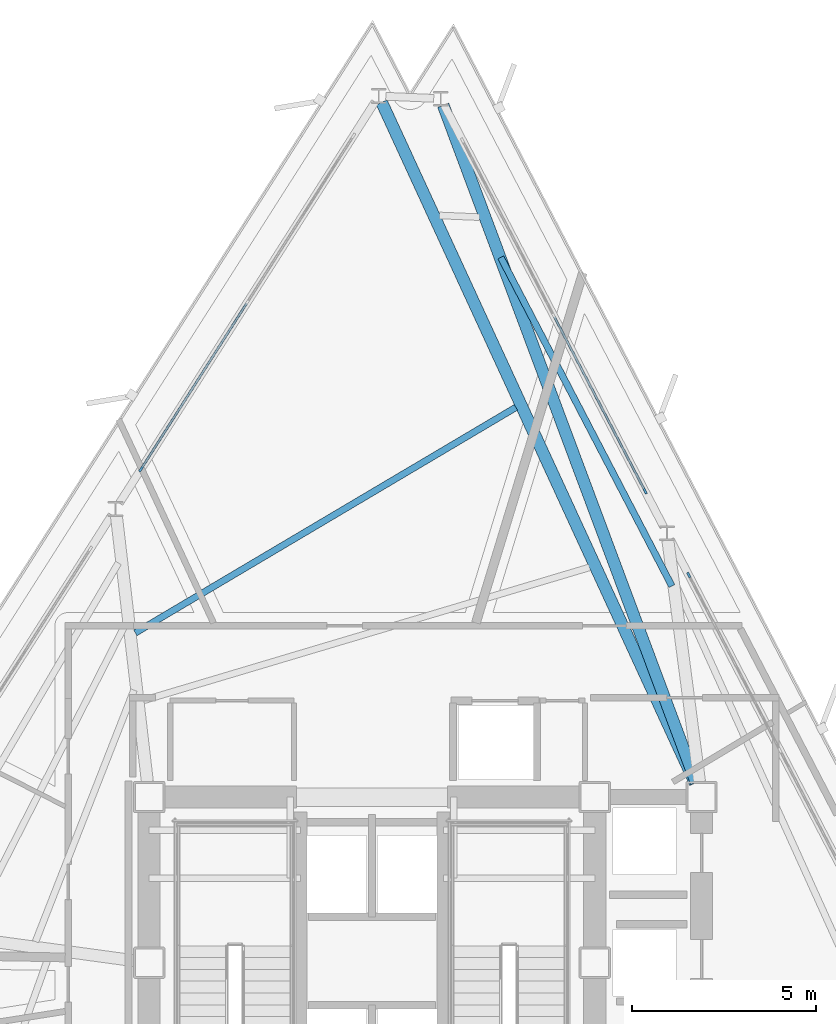
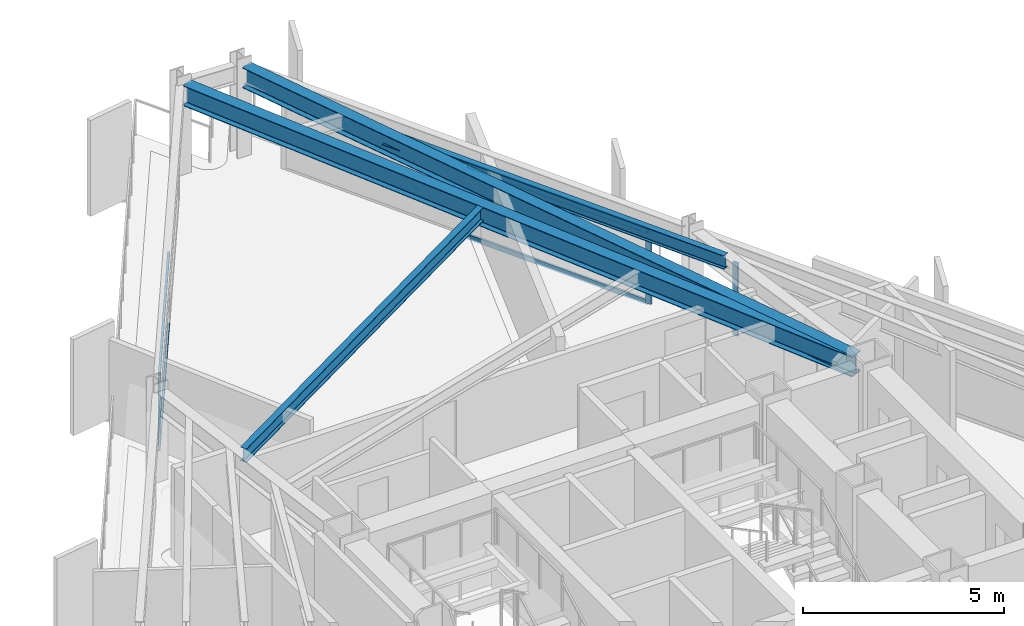
# One storey, part 4 of 12: 7 members, 4 beams, 3 elements without a shape of their own.
"""IFC4 building model written with IfcOpenShell, lengths in metres."""

from ifc_helpers import new_model, si_unit, direction, frame, origin, origin_2d, place, context, subcontext, project, spatial, rectangle, i_section, extrude, material, layer, layer_set, material_profile, profile_set, type_object, element, aggregate, save


model = new_model("IFC4")

# Units and contexts
model_context = context("Model", 3, precision=1e-05, world=origin(), true_north=direction((0.0, 1.0)))
body_context = subcontext(model_context, "Body", "Model", "MODEL_VIEW")
ifc_project = project(units=[si_unit("LENGTHUNIT", "METRE"), si_unit("AREAUNIT", "SQUARE_METRE"), si_unit("VOLUMEUNIT", "CUBIC_METRE"), si_unit("PLANEANGLEUNIT", "RADIAN"), si_unit("MASSUNIT", "GRAM", prefix="KILO")], contexts=[model_context])

# Site, building, storey
site_placement = place(None, origin())
site = spatial("IfcSite", under=ifc_project, at=site_placement, CompositionType="ELEMENT")
building_placement = place(site_placement, origin())
building = spatial("IfcBuilding", under=site, at=building_placement, Name="Rocaltana Carrier Exchange", CompositionType="ELEMENT")
storey_placement = place(building_placement, frame((0.0, 0.0, 141.1201171875)))
storey = spatial("IfcBuildingStorey", under=building, at=storey_placement, Name="L44", CompositionType="ELEMENT", Elevation=141.1201171875)

# Curtain wall, member
ifc_material_1 = material(Name="Aluminium 6063-T6", Category="aluminium")
ifc_layer = layer(ifc_material_1, 0.14990234375)
ifc_layer_set = layer_set([ifc_layer], Name="Aluminium 6063-T6")
curtain_wall_type = type_object("IfcCurtainWallType", Name="Mid-Tower Unitised Curtain Wall CW-03", PredefinedType="NOTDEFINED", material=ifc_layer_set)
curtain_wall_1_placement = place(storey_placement, origin())
curtain_wall_1 = element("IfcCurtainWall", 1, at=curtain_wall_1_placement, inside=storey, type_object=curtain_wall_type, Name="L44 CW-03 Run CW-L44-F1S2", PredefinedType="NOTDEFINED")
ifc_material_2 = material(Name="Aluminium 6063-T6", Category="aluminium")
ifc_material_profile_1 = material_profile(ifc_material_2, rectangle(XDim=0.06005859375, YDim=0.14990234375, at=origin_2d()), Name="AL-60X150")
ifc_profile_set_1 = profile_set([ifc_material_profile_1], Name="Aluminium 6063-T6")
member_type_1 = type_object("IfcMemberType", Name="CW-03 Mullion AL-60X150", PredefinedType="MULLION", material=ifc_profile_set_1)
member_1_placement = place(storey_placement, frame((8.60009765625, 10.531005859375, 0.0), z_axis=(0.0, 0.0, 1.0), x_axis=(-0.887011747812, -0.461746856235, 0.0)))
member_1 = element("IfcMember", 2, at=member_1_placement, type_object=member_type_1, Name="CW-03 mullion 3", PredefinedType="MULLION", context=body_context, shape_type="SweptSolid", body=[
    extrude(rectangle(XDim=0.06005859375, YDim=0.14990234375, at=origin_2d()), origin(), (0.0, 0.0, 1.0), 2.2177734375),
])
aggregate(curtain_wall_1, [member_1])

curtain_wall_2_placement = place(storey_placement, origin())
curtain_wall_2 = element("IfcCurtainWall", 3, at=curtain_wall_2_placement, inside=storey, type_object=curtain_wall_type, Name="L44 CW-03 Run CW-L44-F1S3", PredefinedType="NOTDEFINED")
member_2_placement = place(storey_placement, frame((7.41796875, 12.8017578125, 0.0), z_axis=(0.0, 0.0, 1.0), x_axis=(-0.887007955385, -0.461754141383, 0.0)))
member_2 = element("IfcMember", 4, at=member_2_placement, type_object=member_type_1, Name="CW-03 mullion 1", PredefinedType="MULLION", context=body_context, shape_type="SweptSolid", body=[
    extrude(rectangle(XDim=0.06005859375, YDim=0.14990234375, at=origin_2d()), origin(), (0.0, 0.0, 1.0), 2.2177734375),
])

curtain_wall_3_placement = place(storey_placement, origin())
curtain_wall_3 = element("IfcCurtainWall", 5, at=curtain_wall_3_placement, inside=storey, type_object=curtain_wall_type, Name="L44 CW-03 Run CW-L44-F2S1", PredefinedType="NOTDEFINED")
member_3_placement = place(storey_placement, frame((-6.27392578125, 13.3994140625, 0.0), z_axis=(0.0, 0.0, 1.0), x_axis=(0.843390685726, -0.537300801443, 0.0)))
member_3 = element("IfcMember", 6, at=member_3_placement, type_object=member_type_1, Name="CW-03 mullion 3", PredefinedType="MULLION", context=body_context, shape_type="SweptSolid", body=[
    extrude(rectangle(XDim=0.06005859375, YDim=0.14990234375, at=origin_2d()), origin(), (0.0, 0.0, 1.0), 2.2177734375),
])

# Member
ifc_material_3 = material(Name="Aluminium 6063-T6", Category="aluminium")
ifc_material_profile_2 = material_profile(ifc_material_3, rectangle(XDim=0.06005859375, YDim=0.14990234375, at=origin_2d()), Name="AL-60X150")
ifc_profile_set_2 = profile_set([ifc_material_profile_2], Name="Aluminium 6063-T6")
member_type_2 = type_object("IfcMemberType", Name="CW-03 Transom AL-60X150", PredefinedType="USERDEFINED", material=ifc_profile_set_2)
member_4_placement = place(storey_placement, frame((7.404052734375, 12.828369140625, 0.02978515625), z_axis=(-0.461756588365, 0.887006681543, 0.0), x_axis=(-0.887006681543, -0.461756588365, 0.0)))
member_4 = element("IfcMember", 7, at=member_4_placement, type_object=member_type_2, Name="CW-03 transom 1.1", ObjectType="TRANSOM", PredefinedType="USERDEFINED", context=body_context, shape_type="SweptSolid", body=[
    extrude(rectangle(XDim=0.06005859375, YDim=0.14990234375, at=origin_2d()), origin(), (0.0, 0.0, 1.0), 5.31005859375),
])

member_5_placement = place(storey_placement, frame((7.404052734375, 12.828369140625, 2.18798828125), z_axis=(-0.461756588365, 0.887006681543, 0.0), x_axis=(-0.887006681543, -0.461756588365, 0.0)))
member_5 = element("IfcMember", 8, at=member_5_placement, type_object=member_type_2, Name="CW-03 transom 1.2", ObjectType="TRANSOM", PredefinedType="USERDEFINED", context=body_context, shape_type="SweptSolid", body=[
    extrude(rectangle(XDim=0.06005859375, YDim=0.14990234375, at=origin_2d()), origin(), (0.0, 0.0, 1.0), 5.31005859375),
])

aggregate(curtain_wall_2, [member_2, member_4, member_5])

member_6_placement = place(storey_placement, frame((-3.40478515625, 17.903076171875, 0.02978515625), z_axis=(-0.537306810176, -0.843386857698, 0.0), x_axis=(0.843386857698, -0.537306810176, 0.0)))
member_6 = element("IfcMember", 9, at=member_6_placement, type_object=member_type_2, Name="CW-03 transom 2.1", ObjectType="TRANSOM", PredefinedType="USERDEFINED", context=body_context, shape_type="SweptSolid", body=[
    extrude(rectangle(XDim=0.06005859375, YDim=0.14990234375, at=origin_2d()), origin(), (0.0, 0.0, 1.0), 5.309814453125),
])

member_7_placement = place(storey_placement, frame((-3.40478515625, 17.903076171875, 2.18798828125), z_axis=(-0.537306810176, -0.843386857698, 0.0), x_axis=(0.843386857698, -0.537306810176, 0.0)))
member_7 = element("IfcMember", 10, at=member_7_placement, type_object=member_type_2, Name="CW-03 transom 2.2", ObjectType="TRANSOM", PredefinedType="USERDEFINED", context=body_context, shape_type="SweptSolid", body=[
    extrude(rectangle(XDim=0.06005859375, YDim=0.14990234375, at=origin_2d()), origin(), (0.0, 0.0, 1.0), 5.309814453125),
])

aggregate(curtain_wall_3, [member_3, member_6, member_7])

# Beams
ifc_material_4 = material(Name="Steel S355", Category="steel")
ifc_material_profile_3 = material_profile(ifc_material_4, i_section(OverallWidth=0.179931640625, OverallDepth=0.4130859375, WebThickness=0.009765625, FlangeThickness=0.01611328125, FilletRadius=0.012939453125, at=origin_2d()), Name="W16X50")
ifc_profile_set_3 = profile_set([ifc_material_profile_3], Name="Steel S355")
beam_type_1 = type_object("IfcBeamType", Name="Floor Joist W16X50", PredefinedType="JOIST", material=ifc_profile_set_3)
beam_1_placement = place(storey_placement, frame((8.14404296875, 10.22802734375, 2.581298828125), z_axis=(-0.461750708655, 0.887009742368, 0.0), x_axis=(-0.887009742368, -0.461750708655, 0.0)))
element("IfcBeam", 11, at=beam_1_placement, inside=storey, type_object=beam_type_1, Name="FJ-L44-03-3", PredefinedType="JOIST", context=body_context, shape_type="SweptSolid", body=[
    extrude(i_section(OverallWidth=0.179931640625, OverallDepth=0.4130859375, WebThickness=0.009765625, FlangeThickness=0.01611328125, FilletRadius=0.012939453125, at=origin_2d()), origin(), (0.0, 0.0, 1.0), 10.062255859375),
])
beam_2_placement = place(storey_placement, frame((3.906982421875, 15.081298828125, 2.581298828125), z_axis=(-0.86032256877, -0.509750014876, 0.0), x_axis=(0.509750014876, -0.86032256877, 0.0)))
element("IfcBeam", 12, at=beam_2_placement, inside=storey, type_object=beam_type_1, Name="FJ-L44-05-2", PredefinedType="JOIST", context=body_context, shape_type="SweptSolid", body=[
    extrude(i_section(OverallWidth=0.179931640625, OverallDepth=0.4130859375, WebThickness=0.009765625, FlangeThickness=0.01611328125, FilletRadius=0.012939453125, at=origin_2d()), origin(), (0.0, 0.0, 1.0), 12.010986328125),
])
ifc_material_5 = material(Name="Steel S355", Category="steel")
ifc_material_profile_4 = material_profile(ifc_material_5, i_section(OverallWidth=0.323974609375, OverallDepth=0.611083984375, WebThickness=0.0126953125, FlangeThickness=0.01904296875, FilletRadius=0.01611328125, at=origin_2d()), Name="W24X104")
ifc_profile_set_4 = profile_set([ifc_material_profile_4], Name="Steel S355")
beam_type_2 = type_object("IfcBeamType", Name="Radial Girder W24X104", PredefinedType="BEAM", material=ifc_profile_set_4)
beam_3_placement = place(storey_placement, frame((8.80419921875, 4.890625, 2.482421875), z_axis=(-0.349864023054, 0.936800493901, 0.0), x_axis=(-0.936800493901, -0.349864023054, 0.0)))
element("IfcBeam", 13, at=beam_3_placement, inside=storey, type_object=beam_type_2, Name="RG-L44-04", PredefinedType="BEAM", context=body_context, shape_type="SweptSolid", body=[
    extrude(i_section(OverallWidth=0.323974609375, OverallDepth=0.611083984375, WebThickness=0.0126953125, FlangeThickness=0.01904296875, FilletRadius=0.01611328125, at=origin_2d()), origin(), (0.0, 0.0, 1.0), 19.634521484375),
])
beam_4_placement = place(storey_placement, frame((8.775634765625, 4.87890625, 2.482421875), z_axis=(-0.418251556262, 0.908331236766, 0.0), x_axis=(-0.908331236766, -0.418251556262, 0.0)))
element("IfcBeam", 14, at=beam_4_placement, inside=storey, type_object=beam_type_2, Name="RG-L44-05", PredefinedType="BEAM", context=body_context, shape_type="SweptSolid", body=[
    extrude(i_section(OverallWidth=0.323974609375, OverallDepth=0.611083984375, WebThickness=0.0126953125, FlangeThickness=0.01904296875, FilletRadius=0.01611328125, at=origin_2d()), origin(), (0.0, 0.0, 1.0), 20.349609375),
])

save(model, "model.ifc")
